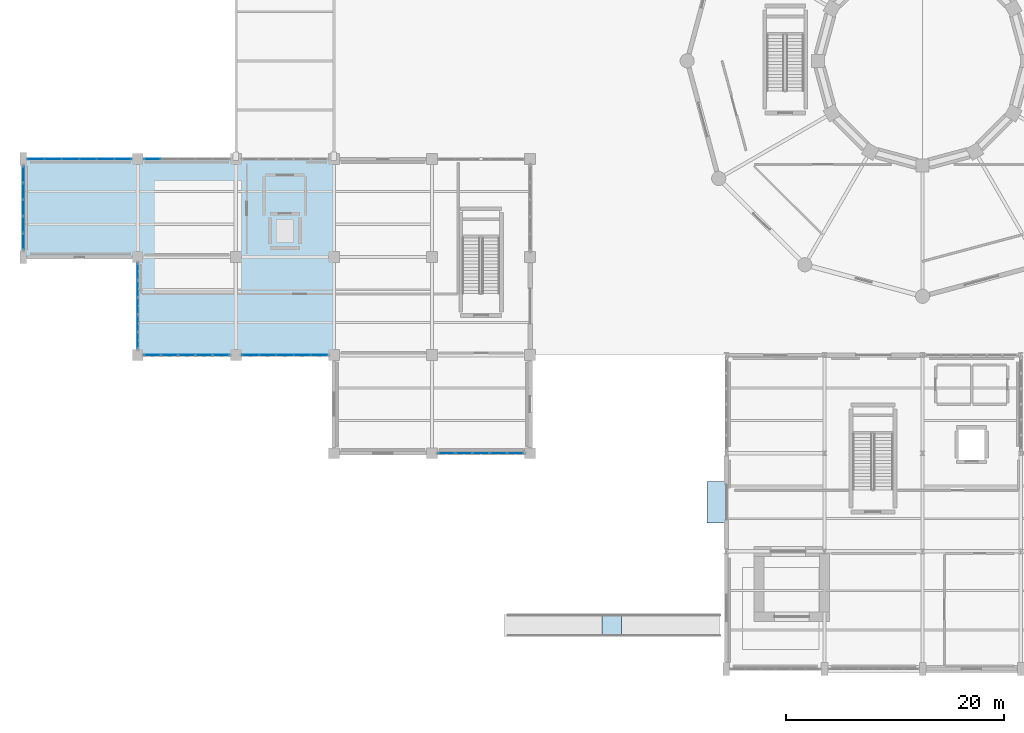
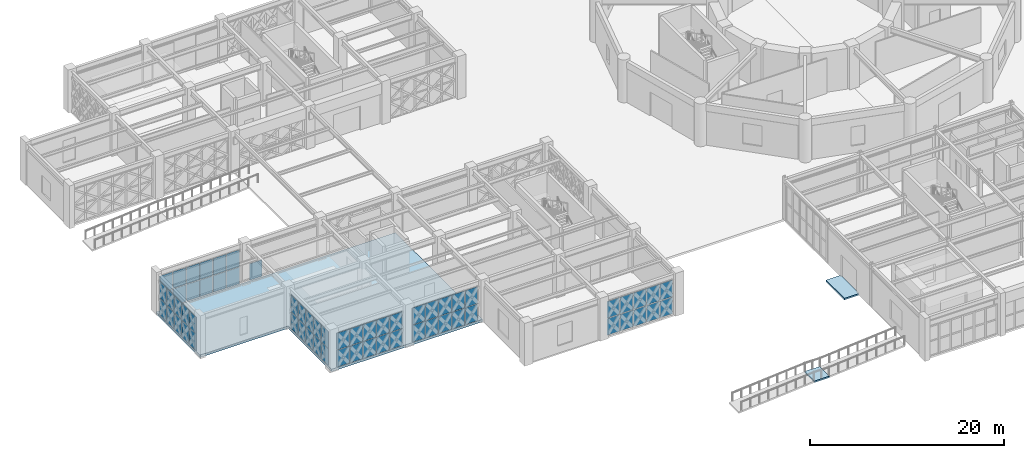
# One storey, part 101 of 140: 63 plates, 3 slabs, 8 elements without a shape of their own.
"""IFC4 building model written with IfcOpenShell, lengths in metres."""

from ifc_helpers import new_model, si_unit, direction, frame, origin, origin_2d, place, context, subcontext, project, spatial, polyline, rectangle, outline, extrude, material, layer, layer_set, type_object, element, aggregate, save


model = new_model("IFC4")

# Units and contexts
model_context = context("Model", 3, precision=1e-05, world=origin(), true_north=direction((0.0, 1.0)))
body_context = subcontext(model_context, "Body", "Model", "MODEL_VIEW")
ifc_project = project(units=[si_unit("LENGTHUNIT", "METRE"), si_unit("AREAUNIT", "SQUARE_METRE"), si_unit("VOLUMEUNIT", "CUBIC_METRE"), si_unit("PLANEANGLEUNIT", "RADIAN"), si_unit("MASSUNIT", "GRAM", prefix="KILO")], contexts=[model_context])

# Site, building, storey
site_placement = place(None, origin())
site = spatial("IfcSite", under=ifc_project, at=site_placement, CompositionType="ELEMENT")
building_placement = place(site_placement, origin())
building = spatial("IfcBuilding", under=site, at=building_placement, Name="Haizhuo Lancet Aquarium", CompositionType="ELEMENT")
storey_placement = place(building_placement, origin())
storey = spatial("IfcBuildingStorey", under=building, at=storey_placement, Name="L00", CompositionType="ELEMENT", Elevation=0.0)

# Curtain wall, plates
ifc_material_1 = material(Name="Aluminium 6063-T6", Category="aluminium")
curtain_wall_type_1 = type_object("IfcCurtainWallType", Name="CWO-9610x4420", PredefinedType="NOTDEFINED", material=ifc_material_1)
curtain_wall_1_placement = place(storey_placement, origin())
curtain_wall_1 = element("IfcCurtainWall", 1, at=curtain_wall_1_placement, inside=storey, type_object=curtain_wall_type_1, Name="L00 curtain wall CW-V6-L00-193", PredefinedType="NOTDEFINED")
ifc_material_2 = material(Name="Laminated Low-E Glass", Category="glass")
ifc_layer_1 = layer(ifc_material_2, 0.028076171875)
ifc_layer_set_1 = layer_set([ifc_layer_1], Name="Laminated Low-E Glass")
plate_type_1 = type_object("IfcPlateType", Name="CW-PNL-1", PredefinedType="CURTAIN_PANEL", material=ifc_layer_set_1)
plate_1_placement = place(storey_placement, frame((-81.337890625, -9.0, 0.06494140625), z_axis=(0.0, 0.0, 1.0), x_axis=(1.0, 0.0, 0.0)))
plate_1 = element("IfcPlate", 2, at=plate_1_placement, type_object=plate_type_1, Name="CWO-96x44 panel 1.1", PredefinedType="CURTAIN_PANEL", context=body_context, shape_type="SweptSolid", body=[
    extrude(rectangle(XDim=1.50390625, YDim=0.028076171875, at=origin_2d()), origin(), (0.0, 0.0, 1.0), 2.112060546875),
])
plate_2_placement = place(storey_placement, frame((-81.337890625, -9.0, 2.24267578125), z_axis=(0.0, 0.0, 1.0), x_axis=(1.0, 0.0, 0.0)))
plate_2 = element("IfcPlate", 3, at=plate_2_placement, type_object=plate_type_1, Name="CWO-96x44 panel 1.2", PredefinedType="CURTAIN_PANEL", context=body_context, shape_type="SweptSolid", body=[
    extrude(rectangle(XDim=1.50390625, YDim=0.028076171875, at=origin_2d()), origin(), (0.0, 0.0, 1.0), 2.113037109375),
])
plate_3_placement = place(storey_placement, frame((-79.751953125, -9.0, 0.06494140625), z_axis=(0.0, 0.0, 1.0), x_axis=(1.0, 0.0, 0.0)))
plate_3 = element("IfcPlate", 4, at=plate_3_placement, type_object=plate_type_1, Name="CWO-96x44 panel 2.1", PredefinedType="CURTAIN_PANEL", context=body_context, shape_type="SweptSolid", body=[
    extrude(rectangle(XDim=1.537109375, YDim=0.028076171875, at=origin_2d()), origin(), (0.0, 0.0, 1.0), 2.112060546875),
])
plate_4_placement = place(storey_placement, frame((-79.751953125, -9.0, 2.24267578125), z_axis=(0.0, 0.0, 1.0), x_axis=(1.0, 0.0, 0.0)))
plate_4 = element("IfcPlate", 5, at=plate_4_placement, type_object=plate_type_1, Name="CWO-96x44 panel 2.2", PredefinedType="CURTAIN_PANEL", context=body_context, shape_type="SweptSolid", body=[
    extrude(rectangle(XDim=1.537109375, YDim=0.028076171875, at=origin_2d()), origin(), (0.0, 0.0, 1.0), 2.113037109375),
])
plate_5_placement = place(storey_placement, frame((-78.15087890625, -9.0, 0.06494140625), z_axis=(0.0, 0.0, 1.0), x_axis=(1.0, 0.0, 0.0)))
plate_5 = element("IfcPlate", 6, at=plate_5_placement, type_object=plate_type_1, Name="CWO-96x44 panel 3.1", PredefinedType="CURTAIN_PANEL", context=body_context, shape_type="SweptSolid", body=[
    extrude(rectangle(XDim=1.537109375, YDim=0.028076171875, at=origin_2d()), origin(), (0.0, 0.0, 1.0), 2.112060546875),
])
plate_6_placement = place(storey_placement, frame((-78.15087890625, -9.0, 2.24267578125), z_axis=(0.0, 0.0, 1.0), x_axis=(1.0, 0.0, 0.0)))
plate_6 = element("IfcPlate", 7, at=plate_6_placement, type_object=plate_type_1, Name="CWO-96x44 panel 3.2", PredefinedType="CURTAIN_PANEL", context=body_context, shape_type="SweptSolid", body=[
    extrude(rectangle(XDim=1.537109375, YDim=0.028076171875, at=origin_2d()), origin(), (0.0, 0.0, 1.0), 2.113037109375),
])
plate_7_placement = place(storey_placement, frame((-76.549072265625, -9.0, 0.06494140625), z_axis=(0.0, 0.0, 1.0), x_axis=(1.0, 0.0, 0.0)))
plate_7 = element("IfcPlate", 8, at=plate_7_placement, type_object=plate_type_1, Name="CWO-96x44 panel 4.1", PredefinedType="CURTAIN_PANEL", context=body_context, shape_type="SweptSolid", body=[
    extrude(rectangle(XDim=1.537109375, YDim=0.028076171875, at=origin_2d()), origin(), (0.0, 0.0, 1.0), 2.112060546875),
])
plate_8_placement = place(storey_placement, frame((-76.549072265625, -9.0, 2.24267578125), z_axis=(0.0, 0.0, 1.0), x_axis=(1.0, 0.0, 0.0)))
plate_8 = element("IfcPlate", 9, at=plate_8_placement, type_object=plate_type_1, Name="CWO-96x44 panel 4.2", PredefinedType="CURTAIN_PANEL", context=body_context, shape_type="SweptSolid", body=[
    extrude(rectangle(XDim=1.537109375, YDim=0.028076171875, at=origin_2d()), origin(), (0.0, 0.0, 1.0), 2.113037109375),
])
plate_9_placement = place(storey_placement, frame((-74.947998046875, -9.0, 0.06494140625), z_axis=(0.0, 0.0, 1.0), x_axis=(1.0, 0.0, 0.0)))
plate_9 = element("IfcPlate", 10, at=plate_9_placement, type_object=plate_type_1, Name="CWO-96x44 panel 5.1", PredefinedType="CURTAIN_PANEL", context=body_context, shape_type="SweptSolid", body=[
    extrude(rectangle(XDim=1.537109375, YDim=0.028076171875, at=origin_2d()), origin(), (0.0, 0.0, 1.0), 2.112060546875),
])
plate_10_placement = place(storey_placement, frame((-74.947998046875, -9.0, 2.24267578125), z_axis=(0.0, 0.0, 1.0), x_axis=(1.0, 0.0, 0.0)))
plate_10 = element("IfcPlate", 11, at=plate_10_placement, type_object=plate_type_1, Name="CWO-96x44 panel 5.2", PredefinedType="CURTAIN_PANEL", context=body_context, shape_type="SweptSolid", body=[
    extrude(rectangle(XDim=1.537109375, YDim=0.028076171875, at=origin_2d()), origin(), (0.0, 0.0, 1.0), 2.113037109375),
])
plate_11_placement = place(storey_placement, frame((-73.362060546875, -9.0, 0.06494140625), z_axis=(0.0, 0.0, 1.0), x_axis=(1.0, 0.0, 0.0)))
plate_11 = element("IfcPlate", 12, at=plate_11_placement, type_object=plate_type_1, Name="CWO-96x44 panel 6.1", PredefinedType="CURTAIN_PANEL", context=body_context, shape_type="SweptSolid", body=[
    extrude(rectangle(XDim=1.50390625, YDim=0.028076171875, at=origin_2d()), origin(), (0.0, 0.0, 1.0), 2.112060546875),
])
plate_12_placement = place(storey_placement, frame((-73.362060546875, -9.0, 2.24267578125), z_axis=(0.0, 0.0, 1.0), x_axis=(1.0, 0.0, 0.0)))
plate_12 = element("IfcPlate", 13, at=plate_12_placement, type_object=plate_type_1, Name="CWO-96x44 panel 6.2", PredefinedType="CURTAIN_PANEL", context=body_context, shape_type="SweptSolid", body=[
    extrude(rectangle(XDim=1.50390625, YDim=0.028076171875, at=origin_2d()), origin(), (0.0, 0.0, 1.0), 2.113037109375),
])
aggregate(curtain_wall_1, [plate_1, plate_2, plate_3, plate_4, plate_5, plate_6, plate_7, plate_8, plate_9, plate_10, plate_11, plate_12])

curtain_wall_type_2 = type_object("IfcCurtainWallType", Name="CWD-7910x4420", PredefinedType="NOTDEFINED", material=ifc_material_1)
curtain_wall_2_placement = place(storey_placement, origin())
curtain_wall_2 = element("IfcCurtainWall", 14, at=curtain_wall_2_placement, inside=storey, type_object=curtain_wall_type_2, Name="L00 curtain wall CW-V6-L00-201", PredefinedType="NOTDEFINED")
plate_13_placement = place(storey_placement, frame((-72.0, -25.64404296875, 0.080078125), z_axis=(0.0, 0.0, 1.0), x_axis=(0.0, 1.0, 0.0)))
plate_13 = element("IfcPlate", 15, at=plate_13_placement, type_object=plate_type_1, Name="CWD-79x44 panel 1.1", PredefinedType="CURTAIN_PANEL", context=body_context, shape_type="SweptSolid", body=[
    extrude(rectangle(XDim=1.4619140625, YDim=0.028076171875, at=origin_2d()), origin(), (0.0, 0.0, 1.0), 2.090087890625),
])
plate_14_placement = place(storey_placement, frame((-72.0, -25.64404296875, 2.25), z_axis=(0.0, 0.0, 1.0), x_axis=(0.0, 1.0, 0.0)))
plate_14 = element("IfcPlate", 16, at=plate_14_placement, type_object=plate_type_1, Name="CWD-79x44 panel 1.2", PredefinedType="CURTAIN_PANEL", context=body_context, shape_type="SweptSolid", body=[
    extrude(rectangle(XDim=1.4619140625, YDim=0.028076171875, at=origin_2d()), origin(), (0.0, 0.0, 1.0), 2.090087890625),
])
plate_15_placement = place(storey_placement, frame((-72.0, -24.08203125, 0.080078125), z_axis=(0.0, 0.0, 1.0), x_axis=(0.0, 1.0, 0.0)))
plate_15 = element("IfcPlate", 17, at=plate_15_placement, type_object=plate_type_1, Name="CWD-79x44 panel 2.1", PredefinedType="CURTAIN_PANEL", context=body_context, shape_type="SweptSolid", body=[
    extrude(rectangle(XDim=1.501953125, YDim=0.028076171875, at=origin_2d()), origin(), (0.0, 0.0, 1.0), 2.090087890625),
])
plate_16_placement = place(storey_placement, frame((-72.0, -24.08203125, 2.25), z_axis=(0.0, 0.0, 1.0), x_axis=(0.0, 1.0, 0.0)))
plate_16 = element("IfcPlate", 18, at=plate_16_placement, type_object=plate_type_1, Name="CWD-79x44 panel 2.2", PredefinedType="CURTAIN_PANEL", context=body_context, shape_type="SweptSolid", body=[
    extrude(rectangle(XDim=1.501953125, YDim=0.028076171875, at=origin_2d()), origin(), (0.0, 0.0, 1.0), 2.090087890625),
])
plate_17_placement = place(storey_placement, frame((-72.0, -22.5, 0.080078125), z_axis=(0.0, 0.0, 1.0), x_axis=(0.0, 1.0, 0.0)))
plate_17 = element("IfcPlate", 19, at=plate_17_placement, type_object=plate_type_1, Name="CWD-79x44 panel 3.1", PredefinedType="CURTAIN_PANEL", context=body_context, shape_type="SweptSolid", body=[
    extrude(rectangle(XDim=1.501953125, YDim=0.028076171875, at=origin_2d()), origin(), (0.0, 0.0, 1.0), 2.090087890625),
])
plate_18_placement = place(storey_placement, frame((-72.0, -22.5, 2.25), z_axis=(0.0, 0.0, 1.0), x_axis=(0.0, 1.0, 0.0)))
plate_18 = element("IfcPlate", 20, at=plate_18_placement, type_object=plate_type_1, Name="CWD-79x44 panel 3.2", PredefinedType="CURTAIN_PANEL", context=body_context, shape_type="SweptSolid", body=[
    extrude(rectangle(XDim=1.501953125, YDim=0.028076171875, at=origin_2d()), origin(), (0.0, 0.0, 1.0), 2.090087890625),
])
plate_19_placement = place(storey_placement, frame((-72.0, -20.91796875, 0.080078125), z_axis=(0.0, 0.0, 1.0), x_axis=(0.0, 1.0, 0.0)))
plate_19 = element("IfcPlate", 21, at=plate_19_placement, type_object=plate_type_1, Name="CWD-79x44 panel 4.1", PredefinedType="CURTAIN_PANEL", context=body_context, shape_type="SweptSolid", body=[
    extrude(rectangle(XDim=1.501953125, YDim=0.028076171875, at=origin_2d()), origin(), (0.0, 0.0, 1.0), 2.090087890625),
])
plate_20_placement = place(storey_placement, frame((-72.0, -20.91796875, 2.25), z_axis=(0.0, 0.0, 1.0), x_axis=(0.0, 1.0, 0.0)))
plate_20 = element("IfcPlate", 22, at=plate_20_placement, type_object=plate_type_1, Name="CWD-79x44 panel 4.2", PredefinedType="CURTAIN_PANEL", context=body_context, shape_type="SweptSolid", body=[
    extrude(rectangle(XDim=1.501953125, YDim=0.028076171875, at=origin_2d()), origin(), (0.0, 0.0, 1.0), 2.090087890625),
])
plate_21_placement = place(storey_placement, frame((-72.0, -19.35595703125, 0.080078125), z_axis=(0.0, 0.0, 1.0), x_axis=(0.0, 1.0, 0.0)))
plate_21 = element("IfcPlate", 23, at=plate_21_placement, type_object=plate_type_1, Name="CWD-79x44 panel 5.1", PredefinedType="CURTAIN_PANEL", context=body_context, shape_type="SweptSolid", body=[
    extrude(rectangle(XDim=1.4619140625, YDim=0.028076171875, at=origin_2d()), origin(), (0.0, 0.0, 1.0), 2.090087890625),
])
plate_22_placement = place(storey_placement, frame((-72.0, -19.35595703125, 2.25), z_axis=(0.0, 0.0, 1.0), x_axis=(0.0, 1.0, 0.0)))
plate_22 = element("IfcPlate", 24, at=plate_22_placement, type_object=plate_type_1, Name="CWD-79x44 panel 5.2", PredefinedType="CURTAIN_PANEL", context=body_context, shape_type="SweptSolid", body=[
    extrude(rectangle(XDim=1.4619140625, YDim=0.028076171875, at=origin_2d()), origin(), (0.0, 0.0, 1.0), 2.090087890625),
])
aggregate(curtain_wall_2, [plate_13, plate_14, plate_15, plate_16, plate_17, plate_18, plate_19, plate_20, plate_21, plate_22])

# Curtain wall, plate
curtain_wall_type_3 = type_object("IfcCurtainWallType", Name="CWO-7910x4420", PredefinedType="NOTDEFINED", material=ifc_material_1)
curtain_wall_3_placement = place(storey_placement, origin())
curtain_wall_3 = element("IfcCurtainWall", 25, at=curtain_wall_3_placement, inside=storey, type_object=curtain_wall_type_3, Name="L00 curtain wall CW-V6-L00-194", PredefinedType="NOTDEFINED")
ifc_layer_2 = layer(ifc_material_2, 0.033935546875)
ifc_layer_set_2 = layer_set([ifc_layer_2], Name="Laminated Low-E Glass")
plate_type_2 = type_object("IfcPlateType", Name="CW-PNL-2", PredefinedType="CURTAIN_PANEL", material=ifc_layer_set_2)
plate_23_placement = place(storey_placement, frame((-70.64501953125, -9.0, 0.07568359375), z_axis=(0.0, 0.0, 1.0), x_axis=(1.0, 0.0, 0.0)))
plate_23 = element("IfcPlate", 26, at=plate_23_placement, type_object=plate_type_2, Name="CWO-79x44 panel 1.1", PredefinedType="CURTAIN_PANEL", context=body_context, shape_type="SweptSolid", body=[
    extrude(rectangle(XDim=1.468994140625, YDim=0.033935546875, at=origin_2d()), origin(), (0.0, 0.0, 1.0), 2.096923828125),
])
aggregate(curtain_wall_3, [plate_23])

# Curtain wall, plates
curtain_wall_4_placement = place(storey_placement, origin())
curtain_wall_4 = element("IfcCurtainWall", 27, at=curtain_wall_4_placement, inside=storey, type_object=curtain_wall_type_2, Name="L00 curtain wall CW-V6-L00-198", PredefinedType="NOTDEFINED")
plate_24_placement = place(storey_placement, frame((-37.35595703125, -36.0, 0.080078125), z_axis=(0.0, 0.0, 1.0), x_axis=(-1.0, 0.0, 0.0)))
plate_24 = element("IfcPlate", 28, at=plate_24_placement, type_object=plate_type_2, Name="CWD-79x44 panel 1.1", PredefinedType="CURTAIN_PANEL", context=body_context, shape_type="SweptSolid", body=[
    extrude(rectangle(XDim=1.4619140625, YDim=0.033935546875, at=origin_2d()), origin(), (0.0, 0.0, 1.0), 2.090087890625),
])
plate_25_placement = place(storey_placement, frame((-37.35595703125, -36.0, 2.25), z_axis=(0.0, 0.0, 1.0), x_axis=(-1.0, 0.0, 0.0)))
plate_25 = element("IfcPlate", 29, at=plate_25_placement, type_object=plate_type_2, Name="CWD-79x44 panel 1.2", PredefinedType="CURTAIN_PANEL", context=body_context, shape_type="SweptSolid", body=[
    extrude(rectangle(XDim=1.4619140625, YDim=0.033935546875, at=origin_2d()), origin(), (0.0, 0.0, 1.0), 2.090087890625),
])
plate_26_placement = place(storey_placement, frame((-38.91796875, -36.0, 0.080078125), z_axis=(0.0, 0.0, 1.0), x_axis=(-1.0, 0.0, 0.0)))
plate_26 = element("IfcPlate", 30, at=plate_26_placement, type_object=plate_type_2, Name="CWD-79x44 panel 2.1", PredefinedType="CURTAIN_PANEL", context=body_context, shape_type="SweptSolid", body=[
    extrude(rectangle(XDim=1.501953125, YDim=0.033935546875, at=origin_2d()), origin(), (0.0, 0.0, 1.0), 2.090087890625),
])
plate_27_placement = place(storey_placement, frame((-38.91796875, -36.0, 2.25), z_axis=(0.0, 0.0, 1.0), x_axis=(-1.0, 0.0, 0.0)))
plate_27 = element("IfcPlate", 31, at=plate_27_placement, type_object=plate_type_2, Name="CWD-79x44 panel 2.2", PredefinedType="CURTAIN_PANEL", context=body_context, shape_type="SweptSolid", body=[
    extrude(rectangle(XDim=1.501953125, YDim=0.033935546875, at=origin_2d()), origin(), (0.0, 0.0, 1.0), 2.090087890625),
])
plate_28_placement = place(storey_placement, frame((-40.5, -36.0, 0.080078125), z_axis=(0.0, 0.0, 1.0), x_axis=(-1.0, 0.0, 0.0)))
plate_28 = element("IfcPlate", 32, at=plate_28_placement, type_object=plate_type_2, Name="CWD-79x44 panel 3.1", PredefinedType="CURTAIN_PANEL", context=body_context, shape_type="SweptSolid", body=[
    extrude(rectangle(XDim=1.501953125, YDim=0.033935546875, at=origin_2d()), origin(), (0.0, 0.0, 1.0), 2.090087890625),
])
plate_29_placement = place(storey_placement, frame((-40.5, -36.0, 2.25), z_axis=(0.0, 0.0, 1.0), x_axis=(-1.0, 0.0, 0.0)))
plate_29 = element("IfcPlate", 33, at=plate_29_placement, type_object=plate_type_2, Name="CWD-79x44 panel 3.2", PredefinedType="CURTAIN_PANEL", context=body_context, shape_type="SweptSolid", body=[
    extrude(rectangle(XDim=1.501953125, YDim=0.033935546875, at=origin_2d()), origin(), (0.0, 0.0, 1.0), 2.090087890625),
])
plate_30_placement = place(storey_placement, frame((-42.08203125, -36.0, 0.080078125), z_axis=(0.0, 0.0, 1.0), x_axis=(-1.0, 0.0, 0.0)))
plate_30 = element("IfcPlate", 34, at=plate_30_placement, type_object=plate_type_2, Name="CWD-79x44 panel 4.1", PredefinedType="CURTAIN_PANEL", context=body_context, shape_type="SweptSolid", body=[
    extrude(rectangle(XDim=1.501953125, YDim=0.033935546875, at=origin_2d()), origin(), (0.0, 0.0, 1.0), 2.090087890625),
])
plate_31_placement = place(storey_placement, frame((-42.08203125, -36.0, 2.25), z_axis=(0.0, 0.0, 1.0), x_axis=(-1.0, 0.0, 0.0)))
plate_31 = element("IfcPlate", 35, at=plate_31_placement, type_object=plate_type_2, Name="CWD-79x44 panel 4.2", PredefinedType="CURTAIN_PANEL", context=body_context, shape_type="SweptSolid", body=[
    extrude(rectangle(XDim=1.501953125, YDim=0.033935546875, at=origin_2d()), origin(), (0.0, 0.0, 1.0), 2.090087890625),
])
plate_32_placement = place(storey_placement, frame((-43.64404296875, -36.0, 0.080078125), z_axis=(0.0, 0.0, 1.0), x_axis=(-1.0, 0.0, 0.0)))
plate_32 = element("IfcPlate", 36, at=plate_32_placement, type_object=plate_type_2, Name="CWD-79x44 panel 5.1", PredefinedType="CURTAIN_PANEL", context=body_context, shape_type="SweptSolid", body=[
    extrude(rectangle(XDim=1.4619140625, YDim=0.033935546875, at=origin_2d()), origin(), (0.0, 0.0, 1.0), 2.090087890625),
])
plate_33_placement = place(storey_placement, frame((-43.64404296875, -36.0, 2.25), z_axis=(0.0, 0.0, 1.0), x_axis=(-1.0, 0.0, 0.0)))
plate_33 = element("IfcPlate", 37, at=plate_33_placement, type_object=plate_type_2, Name="CWD-79x44 panel 5.2", PredefinedType="CURTAIN_PANEL", context=body_context, shape_type="SweptSolid", body=[
    extrude(rectangle(XDim=1.4619140625, YDim=0.033935546875, at=origin_2d()), origin(), (0.0, 0.0, 1.0), 2.090087890625),
])
aggregate(curtain_wall_4, [plate_24, plate_25, plate_26, plate_27, plate_28, plate_29, plate_30, plate_31, plate_32, plate_33])

curtain_wall_5_placement = place(storey_placement, origin())
curtain_wall_5 = element("IfcCurtainWall", 38, at=curtain_wall_5_placement, inside=storey, type_object=curtain_wall_type_2, Name="L00 curtain wall CW-V6-L00-199", PredefinedType="NOTDEFINED")
ifc_layer_3 = layer(ifc_material_2, 0.0419921875)
ifc_layer_set_3 = layer_set([ifc_layer_3], Name="Laminated Low-E Glass")
plate_type_3 = type_object("IfcPlateType", Name="CW-PNL-3", PredefinedType="CURTAIN_PANEL", material=ifc_layer_set_3)
plate_34_placement = place(storey_placement, frame((-55.35205078125, -27.0, 0.06494140625), z_axis=(0.0, 0.0, 1.0), x_axis=(-1.0, 0.0, 0.0)))
plate_34 = element("IfcPlate", 39, at=plate_34_placement, type_object=plate_type_3, Name="CWD-79x44 panel 1.1", PredefinedType="CURTAIN_PANEL", context=body_context, shape_type="SweptSolid", body=[
    extrude(rectangle(XDim=1.48388671875, YDim=0.0419921875, at=origin_2d()), origin(), (0.0, 0.0, 1.0), 2.112060546875),
])
plate_35_placement = place(storey_placement, frame((-55.35205078125, -27.0, 2.24267578125), z_axis=(0.0, 0.0, 1.0), x_axis=(-1.0, 0.0, 0.0)))
plate_35 = element("IfcPlate", 40, at=plate_35_placement, type_object=plate_type_3, Name="CWD-79x44 panel 1.2", PredefinedType="CURTAIN_PANEL", context=body_context, shape_type="SweptSolid", body=[
    extrude(rectangle(XDim=1.48388671875, YDim=0.0419921875, at=origin_2d()), origin(), (0.0, 0.0, 1.0), 2.113037109375),
])
plate_36_placement = place(storey_placement, frame((-56.91796875, -27.0, 0.06494140625), z_axis=(0.0, 0.0, 1.0), x_axis=(-1.0, 0.0, 0.0)))
plate_36 = element("IfcPlate", 41, at=plate_36_placement, type_object=plate_type_3, Name="CWD-79x44 panel 2.1", PredefinedType="CURTAIN_PANEL", context=body_context, shape_type="SweptSolid", body=[
    extrude(rectangle(XDim=1.51708984375, YDim=0.0419921875, at=origin_2d()), origin(), (0.0, 0.0, 1.0), 2.112060546875),
])
plate_37_placement = place(storey_placement, frame((-56.91796875, -27.0, 2.24267578125), z_axis=(0.0, 0.0, 1.0), x_axis=(-1.0, 0.0, 0.0)))
plate_37 = element("IfcPlate", 42, at=plate_37_placement, type_object=plate_type_3, Name="CWD-79x44 panel 2.2", PredefinedType="CURTAIN_PANEL", context=body_context, shape_type="SweptSolid", body=[
    extrude(rectangle(XDim=1.51708984375, YDim=0.0419921875, at=origin_2d()), origin(), (0.0, 0.0, 1.0), 2.113037109375),
])
plate_38_placement = place(storey_placement, frame((-58.5, -27.0, 0.06494140625), z_axis=(0.0, 0.0, 1.0), x_axis=(-1.0, 0.0, 0.0)))
plate_38 = element("IfcPlate", 43, at=plate_38_placement, type_object=plate_type_3, Name="CWD-79x44 panel 3.1", PredefinedType="CURTAIN_PANEL", context=body_context, shape_type="SweptSolid", body=[
    extrude(rectangle(XDim=1.51708984375, YDim=0.0419921875, at=origin_2d()), origin(), (0.0, 0.0, 1.0), 2.112060546875),
])
plate_39_placement = place(storey_placement, frame((-58.5, -27.0, 2.24267578125), z_axis=(0.0, 0.0, 1.0), x_axis=(-1.0, 0.0, 0.0)))
plate_39 = element("IfcPlate", 44, at=plate_39_placement, type_object=plate_type_3, Name="CWD-79x44 panel 3.2", PredefinedType="CURTAIN_PANEL", context=body_context, shape_type="SweptSolid", body=[
    extrude(rectangle(XDim=1.51708984375, YDim=0.0419921875, at=origin_2d()), origin(), (0.0, 0.0, 1.0), 2.113037109375),
])
plate_40_placement = place(storey_placement, frame((-60.08203125, -27.0, 0.06494140625), z_axis=(0.0, 0.0, 1.0), x_axis=(-1.0, 0.0, 0.0)))
plate_40 = element("IfcPlate", 45, at=plate_40_placement, type_object=plate_type_3, Name="CWD-79x44 panel 4.1", PredefinedType="CURTAIN_PANEL", context=body_context, shape_type="SweptSolid", body=[
    extrude(rectangle(XDim=1.51708984375, YDim=0.0419921875, at=origin_2d()), origin(), (0.0, 0.0, 1.0), 2.112060546875),
])
plate_41_placement = place(storey_placement, frame((-60.08203125, -27.0, 2.24267578125), z_axis=(0.0, 0.0, 1.0), x_axis=(-1.0, 0.0, 0.0)))
plate_41 = element("IfcPlate", 46, at=plate_41_placement, type_object=plate_type_3, Name="CWD-79x44 panel 4.2", PredefinedType="CURTAIN_PANEL", context=body_context, shape_type="SweptSolid", body=[
    extrude(rectangle(XDim=1.51708984375, YDim=0.0419921875, at=origin_2d()), origin(), (0.0, 0.0, 1.0), 2.113037109375),
])
plate_42_placement = place(storey_placement, frame((-61.64794921875, -27.0, 0.06494140625), z_axis=(0.0, 0.0, 1.0), x_axis=(-1.0, 0.0, 0.0)))
plate_42 = element("IfcPlate", 47, at=plate_42_placement, type_object=plate_type_3, Name="CWD-79x44 panel 5.1", PredefinedType="CURTAIN_PANEL", context=body_context, shape_type="SweptSolid", body=[
    extrude(rectangle(XDim=1.48388671875, YDim=0.0419921875, at=origin_2d()), origin(), (0.0, 0.0, 1.0), 2.112060546875),
])
plate_43_placement = place(storey_placement, frame((-61.64794921875, -27.0, 2.24267578125), z_axis=(0.0, 0.0, 1.0), x_axis=(-1.0, 0.0, 0.0)))
plate_43 = element("IfcPlate", 48, at=plate_43_placement, type_object=plate_type_3, Name="CWD-79x44 panel 5.2", PredefinedType="CURTAIN_PANEL", context=body_context, shape_type="SweptSolid", body=[
    extrude(rectangle(XDim=1.48388671875, YDim=0.0419921875, at=origin_2d()), origin(), (0.0, 0.0, 1.0), 2.113037109375),
])
aggregate(curtain_wall_5, [plate_34, plate_35, plate_36, plate_37, plate_38, plate_39, plate_40, plate_41, plate_42, plate_43])

curtain_wall_type_4 = type_object("IfcCurtainWallType", Name="CWD-7710x4420", PredefinedType="NOTDEFINED", material=ifc_material_1)
curtain_wall_6_placement = place(storey_placement, origin())
curtain_wall_6 = element("IfcCurtainWall", 49, at=curtain_wall_6_placement, inside=storey, type_object=curtain_wall_type_4, Name="L00 curtain wall CW-V6-L00-192", PredefinedType="NOTDEFINED")
ifc_layer_4 = layer(ifc_material_2, 0.052001953125)
ifc_layer_set_4 = layer_set([ifc_layer_4], Name="Laminated Low-E Glass")
plate_type_4 = type_object("IfcPlateType", Name="CW-PNL-4", PredefinedType="CURTAIN_PANEL", material=ifc_layer_set_4)
plate_44_placement = place(storey_placement, frame((-82.5, -16.56396484375, 0.080078125), z_axis=(0.0, 0.0, 1.0), x_axis=(0.0, 1.0, 0.0)))
plate_44 = element("IfcPlate", 50, at=plate_44_placement, type_object=plate_type_4, Name="CWD-77x44 panel 1.1", PredefinedType="CURTAIN_PANEL", context=body_context, shape_type="SweptSolid", body=[
    extrude(rectangle(XDim=1.422119140625, YDim=0.052001953125, at=origin_2d()), origin(), (0.0, 0.0, 1.0), 2.090087890625),
])
plate_45_placement = place(storey_placement, frame((-82.5, -16.56396484375, 2.25), z_axis=(0.0, 0.0, 1.0), x_axis=(0.0, 1.0, 0.0)))
plate_45 = element("IfcPlate", 51, at=plate_45_placement, type_object=plate_type_4, Name="CWD-77x44 panel 1.2", PredefinedType="CURTAIN_PANEL", context=body_context, shape_type="SweptSolid", body=[
    extrude(rectangle(XDim=1.422119140625, YDim=0.052001953125, at=origin_2d()), origin(), (0.0, 0.0, 1.0), 2.090087890625),
])
plate_46_placement = place(storey_placement, frame((-82.5, -15.0419921875, 0.080078125), z_axis=(0.0, 0.0, 1.0), x_axis=(0.0, 1.0, 0.0)))
plate_46 = element("IfcPlate", 52, at=plate_46_placement, type_object=plate_type_4, Name="CWD-77x44 panel 2.1", PredefinedType="CURTAIN_PANEL", context=body_context, shape_type="SweptSolid", body=[
    extrude(rectangle(XDim=1.4619140625, YDim=0.052001953125, at=origin_2d()), origin(), (0.0, 0.0, 1.0), 2.090087890625),
])
plate_47_placement = place(storey_placement, frame((-82.5, -15.0419921875, 2.25), z_axis=(0.0, 0.0, 1.0), x_axis=(0.0, 1.0, 0.0)))
plate_47 = element("IfcPlate", 53, at=plate_47_placement, type_object=plate_type_4, Name="CWD-77x44 panel 2.2", PredefinedType="CURTAIN_PANEL", context=body_context, shape_type="SweptSolid", body=[
    extrude(rectangle(XDim=1.4619140625, YDim=0.052001953125, at=origin_2d()), origin(), (0.0, 0.0, 1.0), 2.090087890625),
])
plate_48_placement = place(storey_placement, frame((-82.5, -13.5, 0.080078125), z_axis=(0.0, 0.0, 1.0), x_axis=(0.0, 1.0, 0.0)))
plate_48 = element("IfcPlate", 54, at=plate_48_placement, type_object=plate_type_4, Name="CWD-77x44 panel 3.1", PredefinedType="CURTAIN_PANEL", context=body_context, shape_type="SweptSolid", body=[
    extrude(rectangle(XDim=1.4619140625, YDim=0.052001953125, at=origin_2d()), origin(), (0.0, 0.0, 1.0), 2.090087890625),
])
plate_49_placement = place(storey_placement, frame((-82.5, -13.5, 2.25), z_axis=(0.0, 0.0, 1.0), x_axis=(0.0, 1.0, 0.0)))
plate_49 = element("IfcPlate", 55, at=plate_49_placement, type_object=plate_type_4, Name="CWD-77x44 panel 3.2", PredefinedType="CURTAIN_PANEL", context=body_context, shape_type="SweptSolid", body=[
    extrude(rectangle(XDim=1.4619140625, YDim=0.052001953125, at=origin_2d()), origin(), (0.0, 0.0, 1.0), 2.090087890625),
])
plate_50_placement = place(storey_placement, frame((-82.5, -11.9580078125, 0.080078125), z_axis=(0.0, 0.0, 1.0), x_axis=(0.0, 1.0, 0.0)))
plate_50 = element("IfcPlate", 56, at=plate_50_placement, type_object=plate_type_4, Name="CWD-77x44 panel 4.1", PredefinedType="CURTAIN_PANEL", context=body_context, shape_type="SweptSolid", body=[
    extrude(rectangle(XDim=1.4619140625, YDim=0.052001953125, at=origin_2d()), origin(), (0.0, 0.0, 1.0), 2.090087890625),
])
plate_51_placement = place(storey_placement, frame((-82.5, -11.9580078125, 2.25), z_axis=(0.0, 0.0, 1.0), x_axis=(0.0, 1.0, 0.0)))
plate_51 = element("IfcPlate", 57, at=plate_51_placement, type_object=plate_type_4, Name="CWD-77x44 panel 4.2", PredefinedType="CURTAIN_PANEL", context=body_context, shape_type="SweptSolid", body=[
    extrude(rectangle(XDim=1.4619140625, YDim=0.052001953125, at=origin_2d()), origin(), (0.0, 0.0, 1.0), 2.090087890625),
])
plate_52_placement = place(storey_placement, frame((-82.5, -10.43603515625, 0.080078125), z_axis=(0.0, 0.0, 1.0), x_axis=(0.0, 1.0, 0.0)))
plate_52 = element("IfcPlate", 58, at=plate_52_placement, type_object=plate_type_4, Name="CWD-77x44 panel 5.1", PredefinedType="CURTAIN_PANEL", context=body_context, shape_type="SweptSolid", body=[
    extrude(rectangle(XDim=1.422119140625, YDim=0.052001953125, at=origin_2d()), origin(), (0.0, 0.0, 1.0), 2.090087890625),
])
plate_53_placement = place(storey_placement, frame((-82.5, -10.43603515625, 2.25), z_axis=(0.0, 0.0, 1.0), x_axis=(0.0, 1.0, 0.0)))
plate_53 = element("IfcPlate", 59, at=plate_53_placement, type_object=plate_type_4, Name="CWD-77x44 panel 5.2", PredefinedType="CURTAIN_PANEL", context=body_context, shape_type="SweptSolid", body=[
    extrude(rectangle(XDim=1.422119140625, YDim=0.052001953125, at=origin_2d()), origin(), (0.0, 0.0, 1.0), 2.090087890625),
])
aggregate(curtain_wall_6, [plate_44, plate_45, plate_46, plate_47, plate_48, plate_49, plate_50, plate_51, plate_52, plate_53])

curtain_wall_7_placement = place(storey_placement, origin())
curtain_wall_7 = element("IfcCurtainWall", 60, at=curtain_wall_7_placement, inside=storey, type_object=curtain_wall_type_2, Name="L00 curtain wall CW-V6-L00-200", PredefinedType="NOTDEFINED")
plate_54_placement = place(storey_placement, frame((-64.35498046875, -27.0, 0.07568359375), z_axis=(0.0, 0.0, 1.0), x_axis=(-1.0, 0.0, 0.0)))
plate_54 = element("IfcPlate", 61, at=plate_54_placement, type_object=plate_type_4, Name="CWD-79x44 panel 1.1", PredefinedType="CURTAIN_PANEL", context=body_context, shape_type="SweptSolid", body=[
    extrude(rectangle(XDim=1.468994140625, YDim=0.052001953125, at=origin_2d()), origin(), (0.0, 0.0, 1.0), 2.096923828125),
])
plate_55_placement = place(storey_placement, frame((-64.35498046875, -27.0, 2.2470703125), z_axis=(0.0, 0.0, 1.0), x_axis=(-1.0, 0.0, 0.0)))
plate_55 = element("IfcPlate", 62, at=plate_55_placement, type_object=plate_type_4, Name="CWD-79x44 panel 1.2", PredefinedType="CURTAIN_PANEL", context=body_context, shape_type="SweptSolid", body=[
    extrude(rectangle(XDim=1.468994140625, YDim=0.052001953125, at=origin_2d()), origin(), (0.0, 0.0, 1.0), 2.097900390625),
])
plate_56_placement = place(storey_placement, frame((-65.91796875, -27.0, 0.07568359375), z_axis=(0.0, 0.0, 1.0), x_axis=(-1.0, 0.0, 0.0)))
plate_56 = element("IfcPlate", 63, at=plate_56_placement, type_object=plate_type_4, Name="CWD-79x44 panel 2.1", PredefinedType="CURTAIN_PANEL", context=body_context, shape_type="SweptSolid", body=[
    extrude(rectangle(XDim=1.507080078125, YDim=0.052001953125, at=origin_2d()), origin(), (0.0, 0.0, 1.0), 2.096923828125),
])
plate_57_placement = place(storey_placement, frame((-65.91796875, -27.0, 2.2470703125), z_axis=(0.0, 0.0, 1.0), x_axis=(-1.0, 0.0, 0.0)))
plate_57 = element("IfcPlate", 64, at=plate_57_placement, type_object=plate_type_4, Name="CWD-79x44 panel 2.2", PredefinedType="CURTAIN_PANEL", context=body_context, shape_type="SweptSolid", body=[
    extrude(rectangle(XDim=1.507080078125, YDim=0.052001953125, at=origin_2d()), origin(), (0.0, 0.0, 1.0), 2.097900390625),
])
plate_58_placement = place(storey_placement, frame((-67.5, -27.0, 0.07568359375), z_axis=(0.0, 0.0, 1.0), x_axis=(-1.0, 0.0, 0.0)))
plate_58 = element("IfcPlate", 65, at=plate_58_placement, type_object=plate_type_4, Name="CWD-79x44 panel 3.1", PredefinedType="CURTAIN_PANEL", context=body_context, shape_type="SweptSolid", body=[
    extrude(rectangle(XDim=1.507080078125, YDim=0.052001953125, at=origin_2d()), origin(), (0.0, 0.0, 1.0), 2.096923828125),
])
plate_59_placement = place(storey_placement, frame((-67.5, -27.0, 2.2470703125), z_axis=(0.0, 0.0, 1.0), x_axis=(-1.0, 0.0, 0.0)))
plate_59 = element("IfcPlate", 66, at=plate_59_placement, type_object=plate_type_4, Name="CWD-79x44 panel 3.2", PredefinedType="CURTAIN_PANEL", context=body_context, shape_type="SweptSolid", body=[
    extrude(rectangle(XDim=1.507080078125, YDim=0.052001953125, at=origin_2d()), origin(), (0.0, 0.0, 1.0), 2.097900390625),
])
plate_60_placement = place(storey_placement, frame((-69.08203125, -27.0, 0.07568359375), z_axis=(0.0, 0.0, 1.0), x_axis=(-1.0, 0.0, 0.0)))
plate_60 = element("IfcPlate", 67, at=plate_60_placement, type_object=plate_type_4, Name="CWD-79x44 panel 4.1", PredefinedType="CURTAIN_PANEL", context=body_context, shape_type="SweptSolid", body=[
    extrude(rectangle(XDim=1.507080078125, YDim=0.052001953125, at=origin_2d()), origin(), (0.0, 0.0, 1.0), 2.096923828125),
])
plate_61_placement = place(storey_placement, frame((-69.08203125, -27.0, 2.2470703125), z_axis=(0.0, 0.0, 1.0), x_axis=(-1.0, 0.0, 0.0)))
plate_61 = element("IfcPlate", 68, at=plate_61_placement, type_object=plate_type_4, Name="CWD-79x44 panel 4.2", PredefinedType="CURTAIN_PANEL", context=body_context, shape_type="SweptSolid", body=[
    extrude(rectangle(XDim=1.507080078125, YDim=0.052001953125, at=origin_2d()), origin(), (0.0, 0.0, 1.0), 2.097900390625),
])
plate_62_placement = place(storey_placement, frame((-70.64501953125, -27.0, 0.07568359375), z_axis=(0.0, 0.0, 1.0), x_axis=(-1.0, 0.0, 0.0)))
plate_62 = element("IfcPlate", 69, at=plate_62_placement, type_object=plate_type_4, Name="CWD-79x44 panel 5.1", PredefinedType="CURTAIN_PANEL", context=body_context, shape_type="SweptSolid", body=[
    extrude(rectangle(XDim=1.469970703125, YDim=0.052001953125, at=origin_2d()), origin(), (0.0, 0.0, 1.0), 2.096923828125),
])
plate_63_placement = place(storey_placement, frame((-70.64501953125, -27.0, 2.2470703125), z_axis=(0.0, 0.0, 1.0), x_axis=(-1.0, 0.0, 0.0)))
plate_63 = element("IfcPlate", 70, at=plate_63_placement, type_object=plate_type_4, Name="CWD-79x44 panel 5.2", PredefinedType="CURTAIN_PANEL", context=body_context, shape_type="SweptSolid", body=[
    extrude(rectangle(XDim=1.469970703125, YDim=0.052001953125, at=origin_2d()), origin(), (0.0, 0.0, 1.0), 2.097900390625),
])
aggregate(curtain_wall_7, [plate_54, plate_55, plate_56, plate_57, plate_58, plate_59, plate_60, plate_61, plate_62, plate_63])

# Slabs
ifc_material_3 = material(Name="Concrete C40/50", Category="concrete")
ifc_layer_5 = layer(ifc_material_3, 0.300048828125)
ifc_layer_set_5 = layer_set([ifc_layer_5], Name="Concrete C40/50")
slab_type_1 = type_object("IfcSlabType", Name="SLB-PLINTH-300", PredefinedType="FLOOR", material=ifc_layer_set_5)
slab_1_placement = place(storey_placement, frame((0.0, 0.0, -0.300048828125)))
element("IfcSlab", 71, at=slab_1_placement, inside=storey, type_object=slab_type_1, Name="L00 structural slab SL-L00-V6-01", PredefinedType="FLOOR", context=body_context, shape_type="SweptSolid", body=[
    extrude(outline(polyline([(-72.0, -27.0), (-54.0, -27.0), (-54.0, -9.0), (-82.5, -9.0), (-82.5, -18.0), (-72.0, -18.0), (-72.0, -27.0)])), origin(), (0.0, 0.0, 1.0), 0.300048828125),
])
ifc_material_4 = material(Name="Shandong Grey Limestone Ashlar", Category="masonry")
slab_type_2 = type_object("IfcSlabType", Name="SLB-PV-200", PredefinedType="BASESLAB", material=ifc_material_4)
slab_2_placement = place(storey_placement, frame((0.0, 0.0, -0.199951171875)))
element("IfcSlab", 72, at=slab_2_placement, inside=storey, type_object=slab_type_2, material=ifc_material_4, Name="At-grade accessible entrance forecourt paving 3", PredefinedType="BASESLAB", context=body_context, shape_type="SweptSolid", body=[
    extrude(outline(polyline([(-19.800048828125, -42.39990234375), (-18.050048828125, -42.39990234375), (-18.050048828125, -38.60009765625), (-19.800048828125, -38.60009765625), (-19.800048828125, -42.39990234375)])), origin(), (0.0, 0.0, 1.0), 0.199951171875),
])

# Ramp, slab
ramp_type = type_object("IfcRampType", Name="RMP-STR", PredefinedType="STRAIGHT_RUN_RAMP", material=ifc_material_3)
ramp_placement = place(storey_placement, origin())
ramp = element("IfcRamp", 73, at=ramp_placement, inside=storey, type_object=ramp_type, material=ifc_material_3, Name="South Forecourt Accessible Plinth Ramp RMP-03", PredefinedType="STRAIGHT_RUN_RAMP")
slab_type_3 = type_object("IfcSlabType", Name="SLB-RMP-LND-200", PredefinedType="LANDING", material=ifc_material_3)
slab_3_placement = place(storey_placement, frame((0.0, 0.0, -0.949951171875)))
slab_3 = element("IfcSlab", 74, at=slab_3_placement, type_object=slab_type_3, material=ifc_material_3, Name="South Forecourt Accessible Plinth Ramp RMP-03 landing", PredefinedType="LANDING", context=body_context, shape_type="SweptSolid", body=[
    extrude(outline(polyline([(-29.39990234375, -52.800048828125), (-27.60009765625, -52.800048828125), (-27.60009765625, -50.800048828125), (-29.39990234375, -50.800048828125), (-29.39990234375, -52.800048828125)])), origin(), (0.0, 0.0, 1.0), 0.199951171875),
])
aggregate(ramp, [slab_3])

save(model, "model.ifc")
